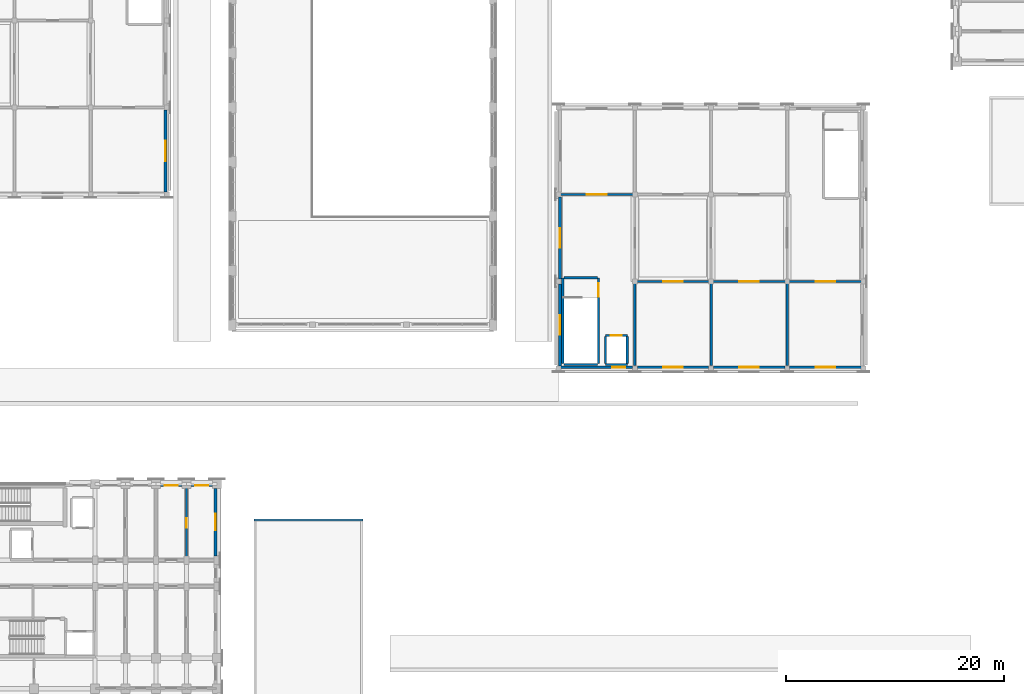
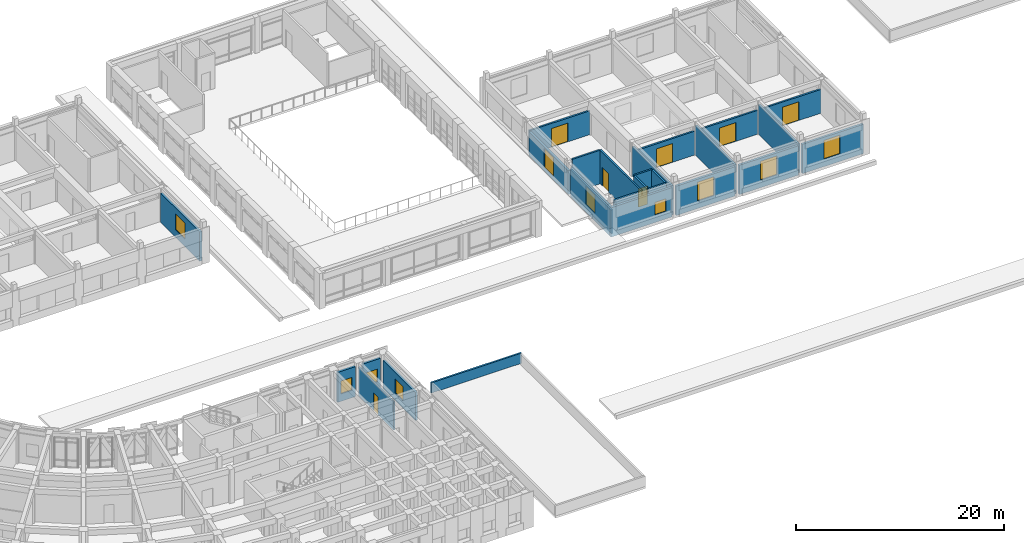
# One storey, part 63 of 97: 27 walls, 10 windows, 7 doors, 17 openings.
"""IFC4 building model written with IfcOpenShell, lengths in metres."""

from ifc_helpers import new_model, si_unit, direction, frame, frame_2d, origin, place, context, subcontext, project, spatial, rectangle, extrude, material, layer, layer_set, type_object, element, fill, save


model = new_model("IFC4")

# Units and contexts
model_context = context("Model", 3, precision=1e-05, world=origin(), true_north=direction((0.0, 1.0)))
body_context = subcontext(model_context, "Body", "Model", "MODEL_VIEW")
ifc_project = project(units=[si_unit("LENGTHUNIT", "METRE"), si_unit("AREAUNIT", "SQUARE_METRE"), si_unit("VOLUMEUNIT", "CUBIC_METRE"), si_unit("PLANEANGLEUNIT", "RADIAN"), si_unit("MASSUNIT", "GRAM", prefix="KILO")], contexts=[model_context])

# Site, building, storey
site_placement = place(None, origin())
site = spatial("IfcSite", under=ifc_project, at=site_placement, CompositionType="ELEMENT")
building_placement = place(site_placement, origin())
building = spatial("IfcBuilding", under=site, at=building_placement, Name="Kiranvali Square Residences", CompositionType="ELEMENT")
storey_placement = place(building_placement, frame((0.0, 0.0, 4.5)))
storey = spatial("IfcBuildingStorey", under=building, at=storey_placement, Name="L01", CompositionType="ELEMENT", Elevation=4.5)

# Wall, opening, door
ifc_material_1 = material(Name="Autoclaved aerated concrete blockwork masonry", Category="masonry")
ifc_layer_1 = layer(ifc_material_1, 0.199951171875)
ifc_layer_set_1 = layer_set([ifc_layer_1], Name="Autoclaved aerated concrete blockwork masonry")
wall_type_1 = type_object("IfcWallType", Name="WL-COR-200", PredefinedType="STANDARD", material=ifc_layer_set_1)
wall_1_placement = place(storey_placement, frame((109.14990234375, 48.0, 0.0), z_axis=(0.0, 0.0, 1.0), x_axis=(1.0, 0.0, 0.0)))
wall_1 = element("IfcWall", 1, at=wall_1_placement, inside=storey, type_object=wall_type_1, Name="L01 architectural wall WL-RT-L01-Y0-1", PredefinedType="STANDARD", context=body_context, shape_type="SweptSolid", body=[
    extrude(rectangle(XDim=6.7001953125, YDim=0.199951171875, at=frame_2d((3.35009765625, 0.0))), origin(), (0.0, 0.0, 1.0), 2.7919921875),
])
opening_1_placement = place(wall_1_placement, frame((2.449951171875, 0.0, 0.0)))
opening_1 = element("IfcOpeningElement", 2, at=opening_1_placement, cuts=wall_1, Name="Opening ED-GLZ-180", PredefinedType="OPENING", context=body_context, shape_type="SweptSolid", body=[
    extrude(rectangle(XDim=1.800048828125, YDim=2.199951171875, at=frame_2d((0.89990234375, 1.10009765625))), frame((0.0, 0.10986328125, 0.0), z_axis=(0.0, -1.0, 0.0), x_axis=(1.0, 0.0, 0.0)), (0.0, 0.0, 1.0), 0.219970703125),
])
ifc_material_2 = material(Name="Anodised bronze aluminium framing", Category="aluminium")
door_type_1 = type_object("IfcDoorType", Name="DR-GLZ-1800", OperationType="DOUBLE_DOOR_SINGLE_SWING", PredefinedType="DOOR", material=ifc_material_2)
door_1_placement = place(opening_1_placement, origin())
door_1 = element("IfcDoor", 3, at=door_1_placement, inside=storey, type_object=door_type_1, Name="L01 door DR-L01-2346 (DR-GLZ-1800)", OperationType="DOUBLE_DOOR_SINGLE_SWING", OverallHeight=2.199951171875, OverallWidth=1.800048828125, PredefinedType="DOOR", context=body_context, shape_type="SweptSolid", body=[
    extrude(rectangle(XDim=1.800048828125, YDim=2.199951171875, at=frame_2d((0.89990234375, 1.10009765625))), frame((0.0, 0.02490234375, 0.0), z_axis=(0.0, -1.0, 0.0), x_axis=(1.0, 0.0, 0.0)), (0.0, 0.0, 1.0), 0.050048828125),
])
fill(opening_1, door_1)

wall_2_placement = place(storey_placement, frame((116.14990234375, 48.0, 0.0), z_axis=(0.0, 0.0, 1.0), x_axis=(1.0, 0.0, 0.0)))
wall_2 = element("IfcWall", 4, at=wall_2_placement, inside=storey, type_object=wall_type_1, Name="L01 architectural wall WL-RT-L01-Y0-2", PredefinedType="STANDARD", context=body_context, shape_type="SweptSolid", body=[
    extrude(rectangle(XDim=6.7001953125, YDim=0.199951171875, at=frame_2d((3.35009765625, 0.0))), origin(), (0.0, 0.0, 1.0), 2.7919921875),
])
opening_2_placement = place(wall_2_placement, frame((2.449951171875, 0.0, 0.0)))
opening_2 = element("IfcOpeningElement", 5, at=opening_2_placement, cuts=wall_2, Name="Opening ED-GLZ-180", PredefinedType="OPENING", context=body_context, shape_type="SweptSolid", body=[
    extrude(rectangle(XDim=1.800048828125, YDim=2.199951171875, at=frame_2d((0.89990234375, 1.10009765625))), frame((0.0, 0.10986328125, 0.0), z_axis=(0.0, -1.0, 0.0), x_axis=(1.0, 0.0, 0.0)), (0.0, 0.0, 1.0), 0.219970703125),
])
door_2_placement = place(opening_2_placement, origin())
door_2 = element("IfcDoor", 6, at=door_2_placement, inside=storey, type_object=door_type_1, Name="L01 door DR-L01-2347 (DR-GLZ-1800)", OperationType="DOUBLE_DOOR_SINGLE_SWING", OverallHeight=2.199951171875, OverallWidth=1.800048828125, PredefinedType="DOOR", context=body_context, shape_type="SweptSolid", body=[
    extrude(rectangle(XDim=1.800048828125, YDim=2.199951171875, at=frame_2d((0.89990234375, 1.10009765625))), frame((0.0, 0.02490234375, 0.0), z_axis=(0.0, -1.0, 0.0), x_axis=(1.0, 0.0, 0.0)), (0.0, 0.0, 1.0), 0.050048828125),
])
fill(opening_2, door_2)

wall_3_placement = place(storey_placement, frame((123.14990234375, 48.0, 0.0), z_axis=(0.0, 0.0, 1.0), x_axis=(1.0, 0.0, 0.0)))
wall_3 = element("IfcWall", 7, at=wall_3_placement, inside=storey, type_object=wall_type_1, Name="L01 architectural wall WL-RT-L01-Y0-3", PredefinedType="STANDARD", context=body_context, shape_type="SweptSolid", body=[
    extrude(rectangle(XDim=6.7001953125, YDim=0.199951171875, at=frame_2d((3.35009765625, 0.0))), origin(), (0.0, 0.0, 1.0), 2.7919921875),
])
opening_3_placement = place(wall_3_placement, frame((2.449951171875, 0.0, 0.0)))
opening_3 = element("IfcOpeningElement", 8, at=opening_3_placement, cuts=wall_3, Name="Opening ED-GLZ-180", PredefinedType="OPENING", context=body_context, shape_type="SweptSolid", body=[
    extrude(rectangle(XDim=1.800048828125, YDim=2.199951171875, at=frame_2d((0.89990234375, 1.10009765625))), frame((0.0, 0.10986328125, 0.0), z_axis=(0.0, -1.0, 0.0), x_axis=(1.0, 0.0, 0.0)), (0.0, 0.0, 1.0), 0.219970703125),
])
door_3_placement = place(opening_3_placement, origin())
door_3 = element("IfcDoor", 9, at=door_3_placement, inside=storey, type_object=door_type_1, Name="L01 door DR-L01-2348 (DR-GLZ-1800)", OperationType="DOUBLE_DOOR_SINGLE_SWING", OverallHeight=2.199951171875, OverallWidth=1.800048828125, PredefinedType="DOOR", context=body_context, shape_type="SweptSolid", body=[
    extrude(rectangle(XDim=1.800048828125, YDim=2.199951171875, at=frame_2d((0.89990234375, 1.10009765625))), frame((0.0, 0.02490234375, 0.0), z_axis=(0.0, -1.0, 0.0), x_axis=(1.0, 0.0, 0.0)), (0.0, 0.0, 1.0), 0.050048828125),
])
fill(opening_3, door_3)

wall_4_placement = place(storey_placement, frame((102.14990234375, 56.0, 0.0), z_axis=(0.0, 0.0, 1.0), x_axis=(1.0, 0.0, 0.0)))
wall_4 = element("IfcWall", 10, at=wall_4_placement, inside=storey, type_object=wall_type_1, Name="L01 architectural wall WL-RT-L01-Y1-0", PredefinedType="STANDARD", context=body_context, shape_type="SweptSolid", body=[
    extrude(rectangle(XDim=6.7001953125, YDim=0.199951171875, at=frame_2d((3.35009765625, 0.0))), origin(), (0.0, 0.0, 1.0), 2.7919921875),
])
opening_4_placement = place(wall_4_placement, frame((2.449951171875, 0.0, 0.0)))
opening_4 = element("IfcOpeningElement", 11, at=opening_4_placement, cuts=wall_4, Name="Opening ED-GLZ-180", PredefinedType="OPENING", context=body_context, shape_type="SweptSolid", body=[
    extrude(rectangle(XDim=1.800048828125, YDim=2.199951171875, at=frame_2d((0.89990234375, 1.10009765625))), frame((0.0, 0.10986328125, 0.0), z_axis=(0.0, -1.0, 0.0), x_axis=(1.0, 0.0, 0.0)), (0.0, 0.0, 1.0), 0.219970703125),
])
door_4_placement = place(opening_4_placement, origin())
door_4 = element("IfcDoor", 12, at=door_4_placement, inside=storey, type_object=door_type_1, Name="L01 door DR-L01-2349 (DR-GLZ-1800)", OperationType="DOUBLE_DOOR_SINGLE_SWING", OverallHeight=2.199951171875, OverallWidth=1.800048828125, PredefinedType="DOOR", context=body_context, shape_type="SweptSolid", body=[
    extrude(rectangle(XDim=1.800048828125, YDim=2.199951171875, at=frame_2d((0.89990234375, 1.10009765625))), frame((0.0, 0.02490234375, 0.0), z_axis=(0.0, -1.0, 0.0), x_axis=(1.0, 0.0, 0.0)), (0.0, 0.0, 1.0), 0.050048828125),
])
fill(opening_4, door_4)

# Walls
ifc_layer_2 = layer(ifc_material_1, 0.219970703125)
ifc_layer_set_2 = layer_set([ifc_layer_2], Name="Autoclaved aerated concrete blockwork masonry")
wall_type_2 = type_object("IfcWallType", Name="WL-DEM-220", PredefinedType="STANDARD", material=ifc_layer_set_2)
for number, where, z_axis, x_axis, name in (
    (13, (109.0, 40.300048828125, 0.0), (0.0, 0.0, 1.0), (0.0, 1.0, 0.0), "L01 architectural wall WL-RT-L01-X1-S"),
    (14, (116.0, 40.300048828125, 0.0), (0.0, 0.0, 1.0), (0.0, 1.0, 0.0), "L01 architectural wall WL-RT-L01-X2-S"),
    (15, (123.0, 40.300048828125, 0.0), (0.0, 0.0, 1.0), (0.0, 1.0, 0.0), "L01 architectural wall WL-RT-L01-X3-S"),
):
    element("IfcWall", number, at=place(storey_placement, frame(where, z_axis=z_axis, x_axis=x_axis)), inside=storey, type_object=wall_type_2, Name=name, PredefinedType="STANDARD", context=body_context, shape_type="SweptSolid", body=[
        extrude(rectangle(XDim=7.599853515625, YDim=0.219970703125, at=frame_2d((3.7998046875, 0.0))), origin(), (0.0, 0.0, 1.0), 3.44189453125),
    ])

# Wall, opening, window
ifc_material_3 = material(Name="Breathable lime-rendered clay brick masonry", Category="masonry")
ifc_layer_3 = layer(ifc_material_3, 0.25)
ifc_layer_set_3 = layer_set([ifc_layer_3], Name="Breathable lime-rendered clay brick masonry")
wall_type_3 = type_object("IfcWallType", Name="WL-EXT-250", PredefinedType="STANDARD", material=ifc_layer_set_3)
wall_5_placement = place(storey_placement, frame((65.419921875, 29.27490234375, 0.0), z_axis=(0.0, 0.0, 1.0), x_axis=(1.0, 0.0, 0.0)))
wall_5 = element("IfcWall", 16, at=wall_5_placement, inside=storey, type_object=wall_type_3, Name="L01 exterior wall C-L01-A1I-2", PredefinedType="STANDARD", context=body_context, shape_type="SweptSolid", body=[
    extrude(rectangle(XDim=1.9599609375, YDim=0.25, at=frame_2d((0.97998046875, 0.0))), origin(), (0.0, 0.0, 1.0), 3.52197265625),
])
opening_5_placement = place(wall_5_placement, frame((0.3798828125, 0.0, 0.8798828125)))
opening_5 = element("IfcOpeningElement", 17, at=opening_5_placement, cuts=wall_5, Name="Opening W-06", PredefinedType="OPENING", context=body_context, shape_type="SweptSolid", body=[
    extrude(rectangle(XDim=1.199951171875, YDim=1.5, at=frame_2d((0.60009765625, 0.75))), frame((0.0, 0.135009765625, 0.0), z_axis=(0.0, -1.0, 0.0), x_axis=(1.0, 0.0, 0.0)), (0.0, 0.0, 1.0), 0.27001953125),
])
ifc_material_4 = material(Name="Solar-control low-e double glazing", Category="glass")
window_type_1 = type_object("IfcWindowType", Name="WIN-RES-1200x1500", PartitioningType="SINGLE_PANEL", PredefinedType="WINDOW", material=ifc_material_4)
window_1_placement = place(opening_5_placement, origin())
window_1 = element("IfcWindow", 18, at=window_1_placement, inside=storey, type_object=window_type_1, Name="L01 recessed window C-L01-A1I-2", OverallHeight=1.5, OverallWidth=1.199951171875, PartitioningType="SINGLE_PANEL", PredefinedType="WINDOW", context=body_context, shape_type="SweptSolid", body=[
    extrude(rectangle(XDim=1.199951171875, YDim=1.5, at=frame_2d((0.60009765625, 0.75))), frame((0.0, 0.030029296875, 0.0), z_axis=(0.0, -1.0, 0.0), x_axis=(1.0, 0.0, 0.0)), (0.0, 0.0, 1.0), 0.06005859375),
])
fill(opening_5, window_1)

wall_6_placement = place(storey_placement, frame((68.219970703125, 29.27490234375, 0.0), z_axis=(0.0, 0.0, 1.0), x_axis=(1.0, 0.0, 0.0)))
wall_6 = element("IfcWall", 19, at=wall_6_placement, inside=storey, type_object=wall_type_3, Name="L01 exterior wall C-L01-A1I-3", PredefinedType="STANDARD", context=body_context, shape_type="SweptSolid", body=[
    extrude(rectangle(XDim=1.9599609375, YDim=0.25, at=frame_2d((0.97998046875, 0.0))), origin(), (0.0, 0.0, 1.0), 3.52197265625),
])
opening_6_placement = place(wall_6_placement, frame((0.3798828125, 0.0, 0.8798828125)))
opening_6 = element("IfcOpeningElement", 20, at=opening_6_placement, cuts=wall_6, Name="Opening W-06", PredefinedType="OPENING", context=body_context, shape_type="SweptSolid", body=[
    extrude(rectangle(XDim=1.199951171875, YDim=1.5, at=frame_2d((0.60009765625, 0.75))), frame((0.0, 0.135009765625, 0.0), z_axis=(0.0, -1.0, 0.0), x_axis=(1.0, 0.0, 0.0)), (0.0, 0.0, 1.0), 0.27001953125),
])
window_2_placement = place(opening_6_placement, origin())
window_2 = element("IfcWindow", 21, at=window_2_placement, inside=storey, type_object=window_type_1, Name="L01 recessed window C-L01-A1I-3", OverallHeight=1.5, OverallWidth=1.199951171875, PartitioningType="SINGLE_PANEL", PredefinedType="WINDOW", context=body_context, shape_type="SweptSolid", body=[
    extrude(rectangle(XDim=1.199951171875, YDim=1.5, at=frame_2d((0.60009765625, 0.75))), frame((0.0, 0.030029296875, 0.0), z_axis=(0.0, -1.0, 0.0), x_axis=(1.0, 0.0, 0.0)), (0.0, 0.0, 1.0), 0.06005859375),
])
fill(opening_6, window_2)

wall_7_placement = place(storey_placement, frame((70.47509765625, 28.97998046875, 0.0), z_axis=(0.0, 0.0, 1.0), x_axis=(0.0, -1.0, 0.0)))
wall_7 = element("IfcWall", 22, at=wall_7_placement, inside=storey, type_object=wall_type_3, Name="L01 exterior wall C-L01-A1END-0", PredefinedType="STANDARD", context=body_context, shape_type="SweptSolid", body=[
    extrude(rectangle(XDim=6.201416015625, YDim=0.25, at=frame_2d((3.1005859375, 0.0))), origin(), (0.0, 0.0, 1.0), 3.322021484375),
])
opening_7_placement = place(wall_7_placement, frame((2.330078125, 0.0, 0.8798828125)))
opening_7 = element("IfcOpeningElement", 23, at=opening_7_placement, cuts=wall_7, Name="Opening W-05", PredefinedType="OPENING", context=body_context, shape_type="SweptSolid", body=[
    extrude(rectangle(XDim=1.5, YDim=1.64990234375, at=frame_2d((0.75, 0.824951171875))), frame((0.0, 0.135009765625, 0.0), z_axis=(0.0, -1.0, 0.0), x_axis=(1.0, 0.0, 0.0)), (0.0, 0.0, 1.0), 0.27001953125),
])
window_type_2 = type_object("IfcWindowType", Name="WIN-RES-1500x1650", PartitioningType="DOUBLE_PANEL_VERTICAL", PredefinedType="WINDOW", material=ifc_material_4)
window_3_placement = place(opening_7_placement, origin())
window_3 = element("IfcWindow", 24, at=window_3_placement, inside=storey, type_object=window_type_2, Name="L01 recessed window C-L01-A1END-0", OverallHeight=1.64990234375, OverallWidth=1.5, PartitioningType="DOUBLE_PANEL_VERTICAL", PredefinedType="WINDOW", context=body_context, shape_type="SweptSolid", body=[
    extrude(rectangle(XDim=1.5, YDim=1.64990234375, at=frame_2d((0.75, 0.824951171875))), frame((0.0, 0.030029296875, 0.0), z_axis=(0.0, -1.0, 0.0), x_axis=(1.0, 0.0, 0.0)), (0.0, 0.0, 1.0), 0.06005859375),
])
fill(opening_7, window_3)

wall_8_placement = place(storey_placement, frame((65.875, 56.2529296875, 0.0), z_axis=(0.0, 0.0, 1.0), x_axis=(0.0, 1.0, 0.0)))
wall_8 = element("IfcWall", 25, at=wall_8_placement, inside=storey, type_object=wall_type_3, Name="L01 exterior wall NR-L01-E-0", PredefinedType="STANDARD", context=body_context, shape_type="SweptSolid", body=[
    extrude(rectangle(XDim=7.5185546875, YDim=0.25, at=frame_2d((3.75927734375, 0.0))), origin(), (0.0, 0.0, 1.0), 3.44189453125),
])
opening_8_placement = place(wall_8_placement, frame((2.822021484375, 0.0, 0.8798828125)))
opening_8 = element("IfcOpeningElement", 26, at=opening_8_placement, cuts=wall_8, Name="Opening W-22", PredefinedType="OPENING", context=body_context, shape_type="SweptSolid", body=[
    extrude(rectangle(XDim=1.85009765625, YDim=1.89990234375, at=frame_2d((0.925048828125, 0.949951171875))), frame((0.0, 0.135009765625, 0.0), z_axis=(0.0, -1.0, 0.0), x_axis=(1.0, 0.0, 0.0)), (0.0, 0.0, 1.0), 0.27001953125),
])
window_type_3 = type_object("IfcWindowType", Name="WIN-PAV-1850x1900", PartitioningType="DOUBLE_PANEL_VERTICAL", PredefinedType="WINDOW", material=ifc_material_4)
window_4_placement = place(opening_8_placement, origin())
window_4 = element("IfcWindow", 27, at=window_4_placement, inside=storey, type_object=window_type_3, Name="L01 recessed window NR-L01-E-0", OverallHeight=1.89990234375, OverallWidth=1.85009765625, PartitioningType="DOUBLE_PANEL_VERTICAL", PredefinedType="WINDOW", context=body_context, shape_type="SweptSolid", body=[
    extrude(rectangle(XDim=1.85009765625, YDim=1.89990234375, at=frame_2d((0.925048828125, 0.949951171875))), frame((0.0, 0.030029296875, 0.0), z_axis=(0.0, -1.0, 0.0), x_axis=(1.0, 0.0, 0.0)), (0.0, 0.0, 1.0), 0.06005859375),
])
fill(opening_8, window_4)

wall_9_placement = place(storey_placement, frame((102.0, 40.125, 0.0), z_axis=(0.0, 0.0, 1.0), x_axis=(1.0, 0.0, 0.0)))
wall_9 = element("IfcWall", 28, at=wall_9_placement, inside=storey, type_object=wall_type_3, Name="L01 exterior wall RT-L01-S-0", PredefinedType="STANDARD", context=body_context, shape_type="SweptSolid", body=[
    extrude(rectangle(XDim=6.771484375, YDim=0.25, at=frame_2d((3.3857421875, 0.0))), origin(), (0.0, 0.0, 1.0), 3.44189453125),
])
opening_9_placement = place(wall_9_placement, frame((4.89990234375, 0.0, 0.8798828125)))
opening_9 = element("IfcOpeningElement", 29, at=opening_9_placement, cuts=wall_9, Name="Opening W-06", PredefinedType="OPENING", context=body_context, shape_type="SweptSolid", body=[
    extrude(rectangle(XDim=1.199951171875, YDim=1.5, at=frame_2d((0.60009765625, 0.75))), frame((0.0, 0.135009765625, 0.0), z_axis=(0.0, -1.0, 0.0), x_axis=(1.0, 0.0, 0.0)), (0.0, 0.0, 1.0), 0.27001953125),
])
window_5_placement = place(opening_9_placement, origin())
window_5 = element("IfcWindow", 30, at=window_5_placement, inside=storey, type_object=window_type_1, Name="L01 recessed window RT-L01-S-0", OverallHeight=1.5, OverallWidth=1.199951171875, PartitioningType="SINGLE_PANEL", PredefinedType="WINDOW", context=body_context, shape_type="SweptSolid", body=[
    extrude(rectangle(XDim=1.199951171875, YDim=1.5, at=frame_2d((0.60009765625, 0.75))), frame((0.0, 0.030029296875, 0.0), z_axis=(0.0, -1.0, 0.0), x_axis=(1.0, 0.0, 0.0)), (0.0, 0.0, 1.0), 0.06005859375),
])
fill(opening_9, window_5)

wall_10_placement = place(storey_placement, frame((109.228515625, 40.125, 0.0), z_axis=(0.0, 0.0, 1.0), x_axis=(1.0, 0.0, 0.0)))
wall_10 = element("IfcWall", 31, at=wall_10_placement, inside=storey, type_object=wall_type_3, Name="L01 exterior wall RT-L01-S-1", PredefinedType="STANDARD", context=body_context, shape_type="SweptSolid", body=[
    extrude(rectangle(XDim=6.54296875, YDim=0.25, at=frame_2d((3.271484375, 0.0))), origin(), (0.0, 0.0, 1.0), 3.44189453125),
])
opening_10_placement = place(wall_10_placement, frame((2.37158203125, 0.0, 0.8798828125)))
opening_10 = element("IfcOpeningElement", 32, at=opening_10_placement, cuts=wall_10, Name="Opening W-01", PredefinedType="OPENING", context=body_context, shape_type="SweptSolid", body=[
    extrude(rectangle(XDim=1.800048828125, YDim=2.199951171875, at=frame_2d((0.89990234375, 1.10009765625))), frame((0.0, 0.135009765625, 0.0), z_axis=(0.0, -1.0, 0.0), x_axis=(1.0, 0.0, 0.0)), (0.0, 0.0, 1.0), 0.27001953125),
])
window_type_4 = type_object("IfcWindowType", Name="WIN-ARCH-1800x2200", PartitioningType="DOUBLE_PANEL_VERTICAL", PredefinedType="WINDOW", material=ifc_material_4)
window_6_placement = place(opening_10_placement, origin())
window_6 = element("IfcWindow", 33, at=window_6_placement, inside=storey, type_object=window_type_4, Name="L01 recessed window RT-L01-S-1", OverallHeight=2.199951171875, OverallWidth=1.800048828125, PartitioningType="DOUBLE_PANEL_VERTICAL", PredefinedType="WINDOW", context=body_context, shape_type="SweptSolid", body=[
    extrude(rectangle(XDim=1.800048828125, YDim=2.199951171875, at=frame_2d((0.89990234375, 1.10009765625))), frame((0.0, 0.030029296875, 0.0), z_axis=(0.0, -1.0, 0.0), x_axis=(1.0, 0.0, 0.0)), (0.0, 0.0, 1.0), 0.06005859375),
])
fill(opening_10, window_6)

wall_11_placement = place(storey_placement, frame((116.228515625, 40.125, 0.0), z_axis=(0.0, 0.0, 1.0), x_axis=(1.0, 0.0, 0.0)))
wall_11 = element("IfcWall", 34, at=wall_11_placement, inside=storey, type_object=wall_type_3, Name="L01 exterior wall RT-L01-S-2", PredefinedType="STANDARD", context=body_context, shape_type="SweptSolid", body=[
    extrude(rectangle(XDim=6.54296875, YDim=0.25, at=frame_2d((3.271484375, 0.0))), origin(), (0.0, 0.0, 1.0), 3.44189453125),
])
opening_11_placement = place(wall_11_placement, frame((2.37158203125, 0.0, 0.8798828125)))
opening_11 = element("IfcOpeningElement", 35, at=opening_11_placement, cuts=wall_11, Name="Opening W-01", PredefinedType="OPENING", context=body_context, shape_type="SweptSolid", body=[
    extrude(rectangle(XDim=1.800048828125, YDim=2.199951171875, at=frame_2d((0.89990234375, 1.10009765625))), frame((0.0, 0.135009765625, 0.0), z_axis=(0.0, -1.0, 0.0), x_axis=(1.0, 0.0, 0.0)), (0.0, 0.0, 1.0), 0.27001953125),
])
window_7_placement = place(opening_11_placement, origin())
window_7 = element("IfcWindow", 36, at=window_7_placement, inside=storey, type_object=window_type_4, Name="L01 recessed window RT-L01-S-2", OverallHeight=2.199951171875, OverallWidth=1.800048828125, PartitioningType="DOUBLE_PANEL_VERTICAL", PredefinedType="WINDOW", context=body_context, shape_type="SweptSolid", body=[
    extrude(rectangle(XDim=1.800048828125, YDim=2.199951171875, at=frame_2d((0.89990234375, 1.10009765625))), frame((0.0, 0.030029296875, 0.0), z_axis=(0.0, -1.0, 0.0), x_axis=(1.0, 0.0, 0.0)), (0.0, 0.0, 1.0), 0.06005859375),
])
fill(opening_11, window_7)

wall_12_placement = place(storey_placement, frame((123.228515625, 40.125, 0.0), z_axis=(0.0, 0.0, 1.0), x_axis=(1.0, 0.0, 0.0)))
wall_12 = element("IfcWall", 37, at=wall_12_placement, inside=storey, type_object=wall_type_3, Name="L01 exterior wall RT-L01-S-3", PredefinedType="STANDARD", context=body_context, shape_type="SweptSolid", body=[
    extrude(rectangle(XDim=6.771484375, YDim=0.25, at=frame_2d((3.3857421875, 0.0))), origin(), (0.0, 0.0, 1.0), 3.44189453125),
])
opening_12_placement = place(wall_12_placement, frame((2.37158203125, 0.0, 0.8798828125)))
opening_12 = element("IfcOpeningElement", 38, at=opening_12_placement, cuts=wall_12, Name="Opening W-01", PredefinedType="OPENING", context=body_context, shape_type="SweptSolid", body=[
    extrude(rectangle(XDim=1.800048828125, YDim=2.199951171875, at=frame_2d((0.89990234375, 1.10009765625))), frame((0.0, 0.135009765625, 0.0), z_axis=(0.0, -1.0, 0.0), x_axis=(1.0, 0.0, 0.0)), (0.0, 0.0, 1.0), 0.27001953125),
])
window_8_placement = place(opening_12_placement, origin())
window_8 = element("IfcWindow", 39, at=window_8_placement, inside=storey, type_object=window_type_4, Name="L01 recessed window RT-L01-S-3", OverallHeight=2.199951171875, OverallWidth=1.800048828125, PartitioningType="DOUBLE_PANEL_VERTICAL", PredefinedType="WINDOW", context=body_context, shape_type="SweptSolid", body=[
    extrude(rectangle(XDim=1.800048828125, YDim=2.199951171875, at=frame_2d((0.89990234375, 1.10009765625))), frame((0.0, 0.030029296875, 0.0), z_axis=(0.0, -1.0, 0.0), x_axis=(1.0, 0.0, 0.0)), (0.0, 0.0, 1.0), 0.06005859375),
])
fill(opening_12, window_8)

wall_13_placement = place(storey_placement, frame((102.125, 40.2529296875, 0.0), z_axis=(0.0, 0.0, 1.0), x_axis=(0.0, 1.0, 0.0)))
wall_13 = element("IfcWall", 40, at=wall_13_placement, inside=storey, type_object=wall_type_3, Name="L01 exterior wall RT-L01-W-0", PredefinedType="STANDARD", context=body_context, shape_type="SweptSolid", body=[
    extrude(rectangle(XDim=7.5185546875, YDim=0.25, at=frame_2d((3.75927734375, 0.0))), origin(), (0.0, 0.0, 1.0), 3.44189453125),
])
opening_13_placement = place(wall_13_placement, frame((2.846923828125, 0.0, 0.8798828125)))
opening_13 = element("IfcOpeningElement", 41, at=opening_13_placement, cuts=wall_13, Name="Opening W-01", PredefinedType="OPENING", context=body_context, shape_type="SweptSolid", body=[
    extrude(rectangle(XDim=1.800048828125, YDim=2.199951171875, at=frame_2d((0.89990234375, 1.10009765625))), frame((0.0, 0.135009765625, 0.0), z_axis=(0.0, -1.0, 0.0), x_axis=(1.0, 0.0, 0.0)), (0.0, 0.0, 1.0), 0.27001953125),
])
window_9_placement = place(opening_13_placement, origin())
window_9 = element("IfcWindow", 42, at=window_9_placement, inside=storey, type_object=window_type_4, Name="L01 recessed window RT-L01-W-0", OverallHeight=2.199951171875, OverallWidth=1.800048828125, PartitioningType="DOUBLE_PANEL_VERTICAL", PredefinedType="WINDOW", context=body_context, shape_type="SweptSolid", body=[
    extrude(rectangle(XDim=1.800048828125, YDim=2.199951171875, at=frame_2d((0.89990234375, 1.10009765625))), frame((0.0, 0.030029296875, 0.0), z_axis=(0.0, -1.0, 0.0), x_axis=(1.0, 0.0, 0.0)), (0.0, 0.0, 1.0), 0.06005859375),
])
fill(opening_13, window_9)

wall_14_placement = place(storey_placement, frame((102.125, 48.228515625, 0.0), z_axis=(0.0, 0.0, 1.0), x_axis=(0.0, 1.0, 0.0)))
wall_14 = element("IfcWall", 43, at=wall_14_placement, inside=storey, type_object=wall_type_3, Name="L01 exterior wall RT-L01-W-1", PredefinedType="STANDARD", context=body_context, shape_type="SweptSolid", body=[
    extrude(rectangle(XDim=7.54296875, YDim=0.25, at=frame_2d((3.771484375, 0.0))), origin(), (0.0, 0.0, 1.0), 2.7919921875),
])
opening_14_placement = place(wall_14_placement, frame((2.87158203125, 0.0, 0.39208984375)))
opening_14 = element("IfcOpeningElement", 44, at=opening_14_placement, cuts=wall_14, Name="Opening W-01", PredefinedType="OPENING", context=body_context, shape_type="SweptSolid", body=[
    extrude(rectangle(XDim=1.800048828125, YDim=2.199951171875, at=frame_2d((0.89990234375, 1.10009765625))), frame((0.0, 0.135009765625, 0.0), z_axis=(0.0, -1.0, 0.0), x_axis=(1.0, 0.0, 0.0)), (0.0, 0.0, 1.0), 0.27001953125),
])
window_10_placement = place(opening_14_placement, origin())
window_10 = element("IfcWindow", 45, at=window_10_placement, inside=storey, type_object=window_type_4, Name="L01 recessed window RT-L01-W-1", OverallHeight=2.199951171875, OverallWidth=1.800048828125, PartitioningType="DOUBLE_PANEL_VERTICAL", PredefinedType="WINDOW", context=body_context, shape_type="SweptSolid", body=[
    extrude(rectangle(XDim=1.800048828125, YDim=2.199951171875, at=frame_2d((0.89990234375, 1.10009765625))), frame((0.0, 0.030029296875, 0.0), z_axis=(0.0, -1.0, 0.0), x_axis=(1.0, 0.0, 0.0)), (0.0, 0.0, 1.0), 0.06005859375),
])
fill(opening_14, window_10)

# Wall
ifc_material_5 = material(Name="Porbandar limestone coping and lime-rendered brick masonry", Category="masonry")
ifc_layer_4 = layer(ifc_material_5, 0.199951171875)
ifc_layer_set_4 = layer_set([ifc_layer_4], Name="Porbandar limestone coping and lime-rendered brick masonry")
wall_type_4 = type_object("IfcWallType", Name="WL-PAR-200", PredefinedType="PARAPET", material=ifc_layer_set_4)
wall_15_placement = place(storey_placement, frame((74.0, 26.10009765625, 0.0), z_axis=(0.0, 0.0, 1.0), x_axis=(1.0, 0.0, 0.0)))
element("IfcWall", 46, at=wall_15_placement, inside=storey, type_object=wall_type_4, Name="South Boulevard Ramp and Arcade Portal roof parapet wall N", PredefinedType="PARAPET", context=body_context, shape_type="SweptSolid", body=[
    extrude(rectangle(XDim=10.0, YDim=0.199951171875, at=frame_2d((5.0, 0.0))), origin(), (0.0, 0.0, 1.0), 1.199951171875),
])

# Wall, opening, door
ifc_material_6 = material(Name="Acoustic gypsum board drylined partition", Category="gypsum")
ifc_layer_5 = layer(ifc_material_6, 0.14990234375)
ifc_layer_set_5 = layer_set([ifc_layer_5], Name="Acoustic gypsum board drylined partition")
wall_type_5 = type_object("IfcWallType", Name="WL-PRT-150", PredefinedType="PARTITIONING", material=ifc_layer_set_5)
wall_16_placement = place(storey_placement, frame((67.800048828125, 29.199951171875, 0.0), z_axis=(0.0, 0.0, 1.0), x_axis=(0.0, -1.0, 0.0)))
wall_16 = element("IfcWall", 47, at=wall_16_placement, inside=storey, type_object=wall_type_5, Name="L01 architectural wall WL-L01-C-A1TI-3", PredefinedType="PARTITIONING", context=body_context, shape_type="SweptSolid", body=[
    extrude(rectangle(XDim=6.75, YDim=0.14990234375, at=frame_2d((3.375, 0.0))), origin(), (0.0, 0.0, 1.0), 3.322021484375),
])
opening_15_placement = place(wall_16_placement, frame((2.925048828125, 0.0, 0.0)))
opening_15 = element("IfcOpeningElement", 48, at=opening_15_placement, cuts=wall_16, Name="Opening ID-1", PredefinedType="OPENING", context=body_context, shape_type="SweptSolid", body=[
    extrude(rectangle(XDim=0.89990234375, YDim=2.10009765625, at=frame_2d((0.449951171875, 1.050048828125))), frame((0.0, 0.0849609375, 0.0), z_axis=(0.0, -1.0, 0.0), x_axis=(1.0, 0.0, 0.0)), (0.0, 0.0, 1.0), 0.169921875),
])
ifc_material_7 = material(Name="Solid seasoned teak hardwood joinery", Category="wood")
door_type_2 = type_object("IfcDoorType", Name="DR-INT-900", OperationType="NOTDEFINED", PredefinedType="DOOR", material=ifc_material_7)
door_5_placement = place(opening_15_placement, origin())
door_5 = element("IfcDoor", 49, at=door_5_placement, inside=storey, type_object=door_type_2, Name="L01 door DR-L01-1811 (DR-INT-900)", OperationType="SINGLE_SWING_LEFT", OverallHeight=2.10009765625, OverallWidth=0.89990234375, PredefinedType="DOOR", context=body_context, shape_type="SweptSolid", body=[
    extrude(rectangle(XDim=0.89990234375, YDim=2.10009765625, at=frame_2d((0.449951171875, 1.050048828125))), frame((0.0, 0.02490234375, 0.0), z_axis=(0.0, -1.0, 0.0), x_axis=(1.0, 0.0, 0.0)), (0.0, 0.0, 1.0), 0.050048828125),
])
fill(opening_15, door_5)

# Walls
ifc_layer_6 = layer(ifc_material_1, 0.199951171875)
ifc_layer_set_6 = layer_set([ifc_layer_6], Name="Autoclaved aerated concrete blockwork masonry")
wall_type_6 = type_object("IfcWallType", Name="WL-SHF-200", PredefinedType="STANDARD", material=ifc_layer_set_6)
wall_17_placement = place(storey_placement, frame((102.3798828125, 40.47998046875, 0.0), z_axis=(0.0, 0.0, 1.0), x_axis=(0.0, 1.0, 0.0)))
element("IfcWall", 50, at=wall_17_placement, inside=storey, type_object=wall_type_6, Name="L01 architectural wall WL-RT-L01-S1W", PredefinedType="STANDARD", context=body_context, shape_type="SweptSolid", body=[
    extrude(rectangle(XDim=7.8701171875, YDim=0.199951171875, at=frame_2d((3.93505859375, 0.0))), origin(), (0.0, 0.0, 1.0), 2.7919921875),
])
for number, where, z_axis, x_axis, name in (
    (51, (102.47998046875, 40.3701171875, 0.0), (0.0, 0.0, 1.0), (1.0, 0.0, 0.0), "L01 architectural wall WL-RT-L01-S1S"),
    (52, (102.47998046875, 48.35009765625, 0.0), (0.0, 0.0, 1.0), (1.0, 0.0, 0.0), "L01 architectural wall WL-RT-L01-S1N"),
):
    element("IfcWall", number, at=place(storey_placement, frame(where, z_axis=z_axis, x_axis=x_axis)), inside=storey, type_object=wall_type_6, Name=name, PredefinedType="STANDARD", context=body_context, shape_type="SweptSolid", body=[
        extrude(rectangle(XDim=3.070068359375, YDim=0.199951171875, at=frame_2d((1.53515625, 0.0))), origin(), (0.0, 0.0, 1.0), 3.949951171875),
    ])

# Wall, opening, door
wall_18_placement = place(storey_placement, frame((105.64990234375, 40.47998046875, 0.0), z_axis=(0.0, 0.0, 1.0), x_axis=(0.0, 1.0, 0.0)))
wall_18 = element("IfcWall", 53, at=wall_18_placement, inside=storey, type_object=wall_type_6, Name="L01 architectural wall WL-RT-L01-S1E", PredefinedType="STANDARD", context=body_context, shape_type="SweptSolid", body=[
    extrude(rectangle(XDim=7.8701171875, YDim=0.199951171875, at=frame_2d((3.93505859375, 0.0))), origin(), (0.0, 0.0, 1.0), 3.949951171875),
])
opening_16_placement = place(wall_18_placement, frame((6.148193359375, 0.0, 0.0)))
opening_16 = element("IfcOpeningElement", 54, at=opening_16_placement, cuts=wall_18, Name="Opening FD-ST-120", PredefinedType="OPENING", context=body_context, shape_type="SweptSolid", body=[
    extrude(rectangle(XDim=1.239990234375, YDim=2.14990234375, at=frame_2d((0.6201171875, 1.074951171875))), frame((0.0, 0.10986328125, 0.0), z_axis=(0.0, -1.0, 0.0), x_axis=(1.0, 0.0, 0.0)), (0.0, 0.0, 1.0), 0.219970703125),
])
ifc_material_8 = material(Name="Fire-rated acoustic hardwood and mineral-core door assembly", Category="wood")
door_type_3 = type_object("IfcDoorType", Name="DR-FD120-1200", OperationType="NOTDEFINED", PredefinedType="DOOR", material=ifc_material_8)
door_6_placement = place(opening_16_placement, origin())
door_6 = element("IfcDoor", 55, at=door_6_placement, inside=storey, type_object=door_type_3, Name="L01 door DR-L01-2343 (DR-FD120-1200)", OperationType="SINGLE_SWING_LEFT", OverallHeight=2.14990234375, OverallWidth=1.239990234375, PredefinedType="DOOR", context=body_context, shape_type="SweptSolid", body=[
    extrude(rectangle(XDim=1.239990234375, YDim=2.14990234375, at=frame_2d((0.6201171875, 1.074951171875))), frame((0.0, 0.02490234375, 0.0), z_axis=(0.0, -1.0, 0.0), x_axis=(1.0, 0.0, 0.0)), (0.0, 0.0, 1.0), 0.050048828125),
])
fill(opening_16, door_6)

wall_19_placement = place(storey_placement, frame((106.300048828125, 43.050048828125, 0.0), z_axis=(0.0, 0.0, 1.0), x_axis=(1.0, 0.0, 0.0)))
wall_19 = element("IfcWall", 56, at=wall_19_placement, inside=storey, type_object=wall_type_6, Name="L01 architectural wall WL-RT-L01-LFN", PredefinedType="STANDARD", context=body_context, shape_type="SweptSolid", body=[
    extrude(rectangle(XDim=2.0, YDim=0.199951171875, at=frame_2d((1.0, 0.0))), origin(), (0.0, 0.0, 1.0), 3.949951171875),
])
opening_17_placement = place(wall_19_placement, frame((0.489990234375, 0.0, 0.0)))
opening_17 = element("IfcOpeningElement", 57, at=opening_17_placement, cuts=wall_19, Name="Opening LD-PAX-100", PredefinedType="OPENING", context=body_context, shape_type="SweptSolid", body=[
    extrude(rectangle(XDim=1.02001953125, YDim=2.14990234375, at=frame_2d((0.510009765625, 1.074951171875))), frame((0.0, 0.10986328125, 0.0), z_axis=(0.0, -1.0, 0.0), x_axis=(1.0, 0.0, 0.0)), (0.0, 0.0, 1.0), 0.219970703125),
])
door_type_4 = type_object("IfcDoorType", Name="DR-LIFT-1000", OperationType="SLIDING_TO_RIGHT", PredefinedType="DOOR", material=ifc_material_8)
door_7_placement = place(opening_17_placement, origin())
door_7 = element("IfcDoor", 58, at=door_7_placement, inside=storey, type_object=door_type_4, Name="L01 door DR-L01-2345 (DR-LIFT-1000)", OperationType="SLIDING_TO_RIGHT", OverallHeight=2.14990234375, OverallWidth=1.02001953125, PredefinedType="DOOR", context=body_context, shape_type="SweptSolid", body=[
    extrude(rectangle(XDim=1.02001953125, YDim=2.14990234375, at=frame_2d((0.510009765625, 1.074951171875))), frame((0.0, 0.02490234375, 0.0), z_axis=(0.0, -1.0, 0.0), x_axis=(1.0, 0.0, 0.0)), (0.0, 0.0, 1.0), 0.050048828125),
])
fill(opening_17, door_7)

# Walls
wall_20_placement = place(storey_placement, frame((106.300048828125, 40.3701171875, 0.0), z_axis=(0.0, 0.0, 1.0), x_axis=(1.0, 0.0, 0.0)))
element("IfcWall", 59, at=wall_20_placement, inside=storey, type_object=wall_type_6, Name="L01 architectural wall WL-RT-L01-LFS", PredefinedType="STANDARD", context=body_context, shape_type="SweptSolid", body=[
    extrude(rectangle(XDim=2.0, YDim=0.199951171875, at=frame_2d((1.0, 0.0))), origin(), (0.0, 0.0, 1.0), 3.949951171875),
])
for number, where, z_axis, x_axis, name in (
    (60, (106.300048828125, 40.47998046875, 0.0), (0.0, 0.0, 1.0), (0.0, 1.0, 0.0), "L01 architectural wall WL-RT-L01-LFW"),
    (61, (108.300048828125, 40.47998046875, 0.0), (0.0, 0.0, 1.0), (0.0, 1.0, 0.0), "L01 architectural wall WL-RT-L01-LFE"),
):
    element("IfcWall", number, at=place(storey_placement, frame(where, z_axis=z_axis, x_axis=x_axis)), inside=storey, type_object=wall_type_6, Name=name, PredefinedType="STANDARD", context=body_context, shape_type="SweptSolid", body=[
        extrude(rectangle(XDim=2.469970703125, YDim=0.199951171875, at=frame_2d((1.23486328125, 0.0))), origin(), (0.0, 0.0, 1.0), 3.949951171875),
    ])

save(model, "model.ifc")
